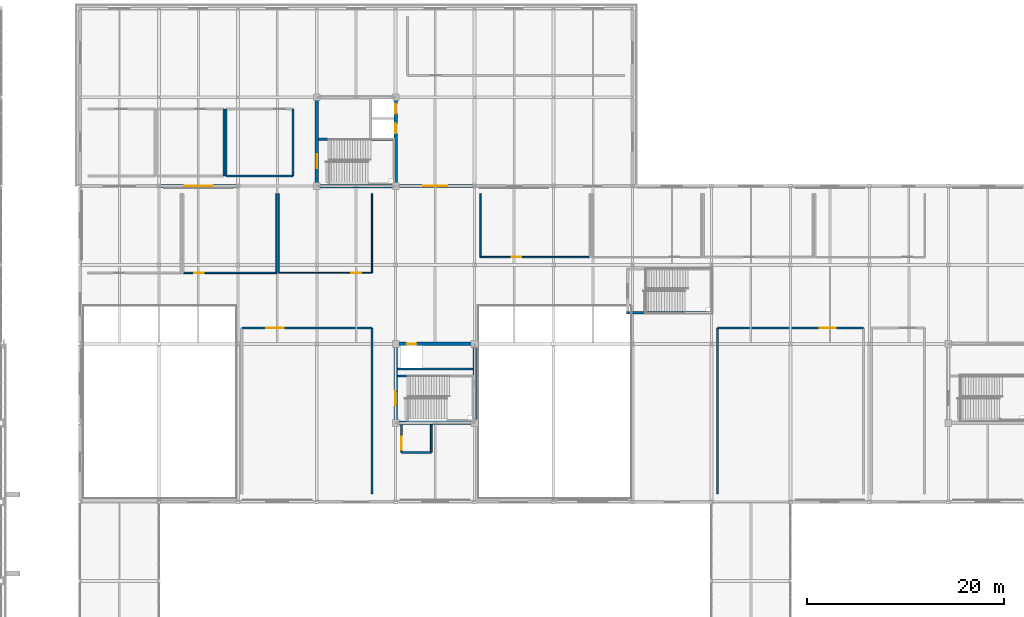
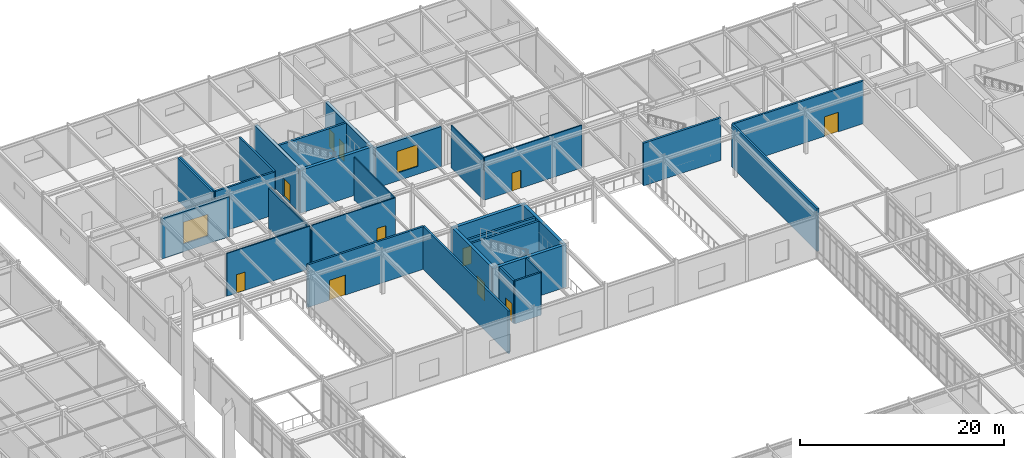
# One storey, part 166 of 184: 31 walls, 11 doors, 2 windows, 13 openings.
"""IFC4 building model written with IfcOpenShell, lengths in metres."""

from ifc_helpers import new_model, si_unit, direction, frame, frame_2d, origin, place, context, subcontext, project, spatial, rectangle, extrude, material, layer, layer_set, type_object, element, fill, save


model = new_model("IFC4")

# Units and contexts
model_context = context("Model", 3, precision=1e-05, world=origin(), true_north=direction((0.0, 1.0)))
body_context = subcontext(model_context, "Body", "Model", "MODEL_VIEW")
ifc_project = project(units=[si_unit("LENGTHUNIT", "METRE"), si_unit("AREAUNIT", "SQUARE_METRE"), si_unit("VOLUMEUNIT", "CUBIC_METRE"), si_unit("PLANEANGLEUNIT", "RADIAN"), si_unit("MASSUNIT", "GRAM", prefix="KILO")], contexts=[model_context])

# Site, building, storey
site_placement = place(None, origin())
site = spatial("IfcSite", under=ifc_project, at=site_placement, CompositionType="ELEMENT")
building_placement = place(site_placement, origin())
building = spatial("IfcBuilding", under=site, at=building_placement, Name="Zhaolan Boulevard Law Courts", CompositionType="ELEMENT")
storey_placement = place(building_placement, frame((0.0, 0.0, 5.39990234375)))
storey = spatial("IfcBuildingStorey", under=building, at=storey_placement, Name="L01", CompositionType="ELEMENT", Elevation=5.39990234375)

# Wall
ifc_material_1 = material(Name="Concrete C50", Category="concrete")
ifc_layer_1 = layer(ifc_material_1, 0.35009765625)
ifc_layer_set_1 = layer_set([ifc_layer_1])
wall_type_1 = type_object("IfcWallType", Name="CORE SHEAR WALL 350", PredefinedType="SHEAR", material=ifc_layer_set_1)
wall_1_placement = place(storey_placement, frame((83.824951171875, 70.0, 0.0), z_axis=(0.0, 0.0, 1.0), x_axis=(1.0, 0.0, 0.0)))
element("IfcWall", 1, at=wall_1_placement, inside=storey, type_object=wall_type_1, Name="Core Shear Wall CW-T1-L01S", PredefinedType="SHEAR", context=body_context, shape_type="SweptSolid", body=[
    extrude(rectangle(XDim=8.35009765625, YDim=0.35009765625, at=frame_2d((4.175048828125, 0.0))), origin(), (0.0, 0.0, 1.0), 5.1201171875),
])

# Wall, opening, door
wall_2_placement = place(storey_placement, frame((92.175048828125, 78.0, 0.0), z_axis=(0.0, 0.0, 1.0), x_axis=(-1.0, 0.0, 0.0)))
wall_2 = element("IfcWall", 2, at=wall_2_placement, inside=storey, type_object=wall_type_1, Name="Core Shear Wall CW-T1-L01N", PredefinedType="SHEAR", context=body_context, shape_type="SweptSolid", body=[
    extrude(rectangle(XDim=8.35009765625, YDim=0.35009765625, at=frame_2d((4.175048828125, 0.0))), origin(), (0.0, 0.0, 1.0), 5.1201171875),
])
opening_1_placement = place(wall_2_placement, frame((6.074951171875, 0.0, 0.0)))
opening_1 = element("IfcOpeningElement", 3, at=opening_1_placement, cuts=wall_2, Name="Opening LD-PL-03-L01", PredefinedType="OPENING", context=body_context, shape_type="SweptSolid", body=[
    extrude(rectangle(XDim=1.0, YDim=2.14990234375, at=frame_2d((0.5, 1.074951171875))), frame((0.0, 0.18505859375, 0.0), z_axis=(0.0, -1.0, 0.0), x_axis=(1.0, 0.0, 0.0)), (0.0, 0.0, 1.0), 0.3701171875),
])
ifc_material_2 = material(Name="Stainless steel sliding landing door", Category="steel")
door_type_1 = type_object("IfcDoorType", Name="LIFT LANDING 1000X2150", OperationType="DOUBLE_DOOR_SLIDING", PredefinedType="DOOR", material=ifc_material_2)
door_1_placement = place(opening_1_placement, origin())
door_1 = element("IfcDoor", 4, at=door_1_placement, inside=storey, type_object=door_type_1, Name="Lift Landing Sliding Door LD-PL-03-L01", OperationType="DOUBLE_DOOR_SLIDING", OverallHeight=2.14990234375, OverallWidth=1.0, PredefinedType="DOOR", context=body_context, shape_type="SweptSolid", body=[
    extrude(rectangle(XDim=1.0, YDim=2.14990234375, at=frame_2d((0.5, 1.074951171875))), frame((0.0, 0.02490234375, 0.0), z_axis=(0.0, -1.0, 0.0), x_axis=(1.0, 0.0, 0.0)), (0.0, 0.0, 1.0), 0.050048828125),
])
fill(opening_1, door_1)

wall_3_placement = place(storey_placement, frame((84.0, 70.175048828125, 0.0), z_axis=(0.0, 0.0, 1.0), x_axis=(0.0, 1.0, 0.0)))
wall_3 = element("IfcWall", 5, at=wall_3_placement, inside=storey, type_object=wall_type_1, Name="Core Shear Wall CW-T1-L01W", PredefinedType="SHEAR", context=body_context, shape_type="SweptSolid", body=[
    extrude(rectangle(XDim=7.64990234375, YDim=0.35009765625, at=frame_2d((3.824951171875, 0.0))), origin(), (0.0, 0.0, 1.0), 5.1201171875),
])
opening_2_placement = place(wall_3_placement, frame((1.625, 0.0, 0.0)))
opening_2 = element("IfcOpeningElement", 6, at=opening_2_placement, cuts=wall_3, Name="Opening SD-L01-31", PredefinedType="OPENING", context=body_context, shape_type="SweptSolid", body=[
    extrude(rectangle(XDim=1.39990234375, YDim=2.199951171875, at=frame_2d((0.699951171875, 1.10009765625))), frame((0.0, 0.18505859375, 0.0), z_axis=(0.0, -1.0, 0.0), x_axis=(1.0, 0.0, 0.0)), (0.0, 0.0, 1.0), 0.3701171875),
])
ifc_material_3 = material(Name="Fire-rated steel acoustic door", Category="steel")
door_type_2 = type_object("IfcDoorType", Name="STAIR FIRE 1400X2200 L", OperationType="SINGLE_SWING_LEFT", PredefinedType="DOOR", material=ifc_material_3)
door_2_placement = place(opening_2_placement, origin())
door_2 = element("IfcDoor", 7, at=door_2_placement, inside=storey, type_object=door_type_2, Name="Smoke-Proof Stairwell Fire Door SD-L01-31", OperationType="SINGLE_SWING_LEFT", OverallHeight=2.199951171875, OverallWidth=1.39990234375, PredefinedType="DOOR", context=body_context, shape_type="SweptSolid", body=[
    extrude(rectangle(XDim=1.39990234375, YDim=2.199951171875, at=frame_2d((0.699951171875, 1.10009765625))), frame((0.0, 0.02490234375, 0.0), z_axis=(0.0, -1.0, 0.0), x_axis=(1.0, 0.0, 0.0)), (0.0, 0.0, 1.0), 0.050048828125),
])
fill(opening_2, door_2)

# Walls
wall_4_placement = place(storey_placement, frame((92.0, 70.175048828125, 0.0), z_axis=(0.0, 0.0, 1.0), x_axis=(0.0, 1.0, 0.0)))
element("IfcWall", 8, at=wall_4_placement, inside=storey, type_object=wall_type_1, Name="Core Shear Wall CW-T1-L01E", PredefinedType="SHEAR", context=body_context, shape_type="SweptSolid", body=[
    extrude(rectangle(XDim=7.64990234375, YDim=0.35009765625, at=frame_2d((3.824951171875, 0.0))), origin(), (0.0, 0.0, 1.0), 5.1201171875),
])
wall_5_placement = place(storey_placement, frame((75.824951171875, 94.0, 0.0), z_axis=(0.0, 0.0, 1.0), x_axis=(1.0, 0.0, 0.0)))
element("IfcWall", 9, at=wall_5_placement, inside=storey, type_object=wall_type_1, Name="Core Shear Wall CW-C1-L01S", PredefinedType="SHEAR", context=body_context, shape_type="SweptSolid", body=[
    extrude(rectangle(XDim=8.35009765625, YDim=0.35009765625, at=frame_2d((4.175048828125, 0.0))), origin(), (0.0, 0.0, 1.0), 5.1201171875),
])

# Wall, opening, door
wall_6_placement = place(storey_placement, frame((76.0, 94.175048828125, 0.0), z_axis=(0.0, 0.0, 1.0), x_axis=(0.0, 1.0, 0.0)))
wall_6 = element("IfcWall", 10, at=wall_6_placement, inside=storey, type_object=wall_type_1, Name="Core Shear Wall CW-C1-L01W", PredefinedType="SHEAR", context=body_context, shape_type="SweptSolid", body=[
    extrude(rectangle(XDim=8.64990234375, YDim=0.35009765625, at=frame_2d((4.324951171875, 0.0))), origin(), (0.0, 0.0, 1.0), 5.1201171875),
])
opening_3_placement = place(wall_6_placement, frame((1.625, 0.0, 0.0)))
opening_3 = element("IfcOpeningElement", 11, at=opening_3_placement, cuts=wall_6, Name="Opening SD-L01-45", PredefinedType="OPENING", context=body_context, shape_type="SweptSolid", body=[
    extrude(rectangle(XDim=1.39990234375, YDim=2.199951171875, at=frame_2d((0.699951171875, 1.10009765625))), frame((0.0, 0.18505859375, 0.0), z_axis=(0.0, -1.0, 0.0), x_axis=(1.0, 0.0, 0.0)), (0.0, 0.0, 1.0), 0.3701171875),
])
door_3_placement = place(opening_3_placement, origin())
door_3 = element("IfcDoor", 12, at=door_3_placement, inside=storey, type_object=door_type_2, Name="Smoke-Proof Stairwell Fire Door SD-L01-45", OperationType="SINGLE_SWING_LEFT", OverallHeight=2.199951171875, OverallWidth=1.39990234375, PredefinedType="DOOR", context=body_context, shape_type="SweptSolid", body=[
    extrude(rectangle(XDim=1.39990234375, YDim=2.199951171875, at=frame_2d((0.699951171875, 1.10009765625))), frame((0.0, 0.02490234375, 0.0), z_axis=(0.0, -1.0, 0.0), x_axis=(1.0, 0.0, 0.0)), (0.0, 0.0, 1.0), 0.050048828125),
])
fill(opening_3, door_3)

# Wall, openings, doors
wall_7_placement = place(storey_placement, frame((84.0, 94.175048828125, 0.0), z_axis=(0.0, 0.0, 1.0), x_axis=(0.0, 1.0, 0.0)))
wall_7 = element("IfcWall", 13, at=wall_7_placement, inside=storey, type_object=wall_type_1, Name="Core Shear Wall CW-C1-L01E", PredefinedType="SHEAR", context=body_context, shape_type="SweptSolid", body=[
    extrude(rectangle(XDim=8.64990234375, YDim=0.35009765625, at=frame_2d((4.324951171875, 0.0))), origin(), (0.0, 0.0, 1.0), 5.1201171875),
])
opening_4_placement = place(wall_7_placement, frame((5.175048828125, 0.0, 0.0)))
opening_4 = element("IfcOpeningElement", 14, at=opening_4_placement, cuts=wall_7, Name="Opening LD-CL-01-L01", PredefinedType="OPENING", context=body_context, shape_type="SweptSolid", body=[
    extrude(rectangle(XDim=1.0, YDim=2.14990234375, at=frame_2d((0.5, 1.074951171875))), frame((0.0, 0.18505859375, 0.0), z_axis=(0.0, -1.0, 0.0), x_axis=(1.0, 0.0, 0.0)), (0.0, 0.0, 1.0), 0.3701171875),
])
opening_5_placement = place(wall_7_placement, frame((7.175048828125, 0.0, 0.0)))
opening_5 = element("IfcOpeningElement", 15, at=opening_5_placement, cuts=wall_7, Name="Opening LD-CL-02-L01", PredefinedType="OPENING", context=body_context, shape_type="SweptSolid", body=[
    extrude(rectangle(XDim=1.0, YDim=2.14990234375, at=frame_2d((0.5, 1.074951171875))), frame((0.0, 0.18505859375, 0.0), z_axis=(0.0, -1.0, 0.0), x_axis=(1.0, 0.0, 0.0)), (0.0, 0.0, 1.0), 0.3701171875),
])
door_4_placement = place(opening_4_placement, origin())
door_4 = element("IfcDoor", 16, at=door_4_placement, inside=storey, type_object=door_type_1, Name="Lift Landing Sliding Door LD-CL-01-L01", OperationType="DOUBLE_DOOR_SLIDING", OverallHeight=2.14990234375, OverallWidth=1.0, PredefinedType="DOOR", context=body_context, shape_type="SweptSolid", body=[
    extrude(rectangle(XDim=1.0, YDim=2.14990234375, at=frame_2d((0.5, 1.074951171875))), frame((0.0, 0.02490234375, 0.0), z_axis=(0.0, -1.0, 0.0), x_axis=(1.0, 0.0, 0.0)), (0.0, 0.0, 1.0), 0.050048828125),
])
fill(opening_4, door_4)
door_5_placement = place(opening_5_placement, origin())
door_5 = element("IfcDoor", 17, at=door_5_placement, inside=storey, type_object=door_type_1, Name="Lift Landing Sliding Door LD-CL-02-L01", OperationType="DOUBLE_DOOR_SLIDING", OverallHeight=2.14990234375, OverallWidth=1.0, PredefinedType="DOOR", context=body_context, shape_type="SweptSolid", body=[
    extrude(rectangle(XDim=1.0, YDim=2.14990234375, at=frame_2d((0.5, 1.074951171875))), frame((0.0, 0.02490234375, 0.0), z_axis=(0.0, -1.0, 0.0), x_axis=(1.0, 0.0, 0.0)), (0.0, 0.0, 1.0), 0.050048828125),
])
fill(opening_5, door_5)

# Wall, opening, window
ifc_material_4 = material(Name="Concrete C40", Category="concrete")
ifc_layer_2 = layer(ifc_material_4, 0.300048828125)
ifc_layer_set_2 = layer_set([ifc_layer_2])
wall_type_2 = type_object("IfcWallType", Name="EXT WALL CONCRETE300", PredefinedType="SOLIDWALL", material=ifc_layer_set_2)
wall_8_placement = place(storey_placement, frame((67.8291015625, 94.0, 0.0), z_axis=(0.0, 0.0, 1.0), x_axis=(-1.0, 0.0, 0.0)))
wall_8 = element("IfcWall", 18, at=wall_8_placement, inside=storey, type_object=wall_type_2, Name="Exterior Wall EW-L01-218", PredefinedType="SOLIDWALL", context=body_context, shape_type="SweptSolid", body=[
    extrude(rectangle(XDim=7.658203125, YDim=0.300048828125, at=frame_2d((3.8291015625, 0.0))), origin(), (0.0, 0.0, 1.0), 4.802978515625),
])
opening_6_placement = place(wall_8_placement, frame((2.428955078125, 0.0, 0.949951171875)))
opening_6 = element("IfcOpeningElement", 19, at=opening_6_placement, cuts=wall_8, Name="Opening WIN-L01-075", PredefinedType="OPENING", context=body_context, shape_type="SweptSolid", body=[
    extrude(rectangle(XDim=2.800048828125, YDim=2.60009765625, at=frame_2d((1.39990234375, 1.300048828125))), frame((0.0, 0.159912109375, 0.0), z_axis=(0.0, -1.0, 0.0), x_axis=(1.0, 0.0, 0.0)), (0.0, 0.0, 1.0), 0.320068359375),
])
ifc_material_5 = material(Name="Thermally broken aluminium and low-E glazing", Category="aluminium")
window_type_1 = type_object("IfcWindowType", Name="WINDOW 2800X2600", PartitioningType="DOUBLE_PANEL_VERTICAL", PredefinedType="WINDOW", material=ifc_material_5)
window_1_placement = place(opening_6_placement, origin())
window_1 = element("IfcWindow", 20, at=window_1_placement, inside=storey, type_object=window_type_1, Name="Exterior Window WIN-L01-075", OverallHeight=2.60009765625, OverallWidth=2.800048828125, PartitioningType="SINGLE_PANEL", PredefinedType="WINDOW", context=body_context, shape_type="SweptSolid", body=[
    extrude(rectangle(XDim=2.800048828125, YDim=2.60009765625, at=frame_2d((1.39990234375, 1.300048828125))), frame((0.0, 0.030029296875, 0.0), z_axis=(0.0, -1.0, 0.0), x_axis=(1.0, 0.0, 0.0)), (0.0, 0.0, 1.0), 0.06005859375),
])
fill(opening_6, window_1)

wall_9_placement = place(storey_placement, frame((91.8291015625, 94.0, 0.0), z_axis=(0.0, 0.0, 1.0), x_axis=(-1.0, 0.0, 0.0)))
wall_9 = element("IfcWall", 21, at=wall_9_placement, inside=storey, type_object=wall_type_2, Name="Exterior Wall EW-L01-219", PredefinedType="SOLIDWALL", context=body_context, shape_type="SweptSolid", body=[
    extrude(rectangle(XDim=7.483154296875, YDim=0.300048828125, at=frame_2d((3.74169921875, 0.0))), origin(), (0.0, 0.0, 1.0), 4.802978515625),
])
opening_7_placement = place(wall_9_placement, frame((2.62890625, 0.0, 0.949951171875)))
opening_7 = element("IfcOpeningElement", 22, at=opening_7_placement, cuts=wall_9, Name="Opening WIN-L01-076", PredefinedType="OPENING", context=body_context, shape_type="SweptSolid", body=[
    extrude(rectangle(XDim=2.39990234375, YDim=2.60009765625, at=frame_2d((1.199951171875, 1.300048828125))), frame((0.0, 0.159912109375, 0.0), z_axis=(0.0, -1.0, 0.0), x_axis=(1.0, 0.0, 0.0)), (0.0, 0.0, 1.0), 0.320068359375),
])
ifc_material_6 = material(Name="Thermally broken aluminium and low-E glazing", Category="aluminium")
window_type_2 = type_object("IfcWindowType", Name="WINDOW 2400X2600", PartitioningType="DOUBLE_PANEL_VERTICAL", PredefinedType="WINDOW", material=ifc_material_6)
window_2_placement = place(opening_7_placement, origin())
window_2 = element("IfcWindow", 23, at=window_2_placement, inside=storey, type_object=window_type_2, Name="Exterior Window WIN-L01-076", OverallHeight=2.60009765625, OverallWidth=2.39990234375, PartitioningType="SINGLE_PANEL", PredefinedType="WINDOW", context=body_context, shape_type="SweptSolid", body=[
    extrude(rectangle(XDim=2.39990234375, YDim=2.60009765625, at=frame_2d((1.199951171875, 1.300048828125))), frame((0.0, 0.030029296875, 0.0), z_axis=(0.0, -1.0, 0.0), x_axis=(1.0, 0.0, 0.0)), (0.0, 0.0, 1.0), 0.06005859375),
])
fill(opening_7, window_2)

# Walls
ifc_material_7 = material(Name="Concrete C50", Category="concrete")
ifc_layer_3 = layer(ifc_material_7, 0.239990234375)
ifc_layer_set_3 = layer_set([ifc_layer_3])
wall_type_3 = type_object("IfcWallType", Name="LIFT SHAFT WALL 240", PredefinedType="SHEAR", material=ifc_layer_set_3)
wall_10_placement = place(storey_placement, frame((84.175048828125, 75.455078125, 0.0), z_axis=(0.0, 0.0, 1.0), x_axis=(1.0, 0.0, 0.0)))
element("IfcWall", 24, at=wall_10_placement, inside=storey, type_object=wall_type_3, Name="Lift Shaft Enclosure Wall T1 (L01)", PredefinedType="SHEAR", context=body_context, shape_type="SweptSolid", body=[
    extrude(rectangle(XDim=7.64990234375, YDim=0.239990234375, at=frame_2d((3.824951171875, 0.0))), origin(), (0.0, 0.0, 1.0), 5.1201171875),
])
ifc_material_8 = material(Name="Acoustic gypsum and mineral-wool stud")
ifc_layer_4 = layer(ifc_material_8, 0.18994140625)
ifc_layer_set_4 = layer_set([ifc_layer_4])
wall_type_4 = type_object("IfcWallType", Name="PART WALL ACOUST190", PredefinedType="PARTITIONING", material=ifc_layer_set_4)
wall_11_placement = place(storey_placement, frame((84.60009765625, 67.0, 0.0), z_axis=(0.0, 0.0, 1.0), x_axis=(1.0, 0.0, 0.0)))
element("IfcWall", 25, at=wall_11_placement, inside=storey, type_object=wall_type_4, Name="Interior Partition PW-L01-082", PredefinedType="PARTITIONING", context=body_context, shape_type="SweptSolid", body=[
    extrude(rectangle(XDim=3.0, YDim=0.18994140625, at=frame_2d((1.5, 0.0))), origin(), (0.0, 0.0, 1.0), 5.1201171875),
])

# Wall, opening, door
wall_12_placement = place(storey_placement, frame((84.60009765625, 69.800048828125, 0.0), z_axis=(0.0, 0.0, 1.0), x_axis=(0.0, -1.0, 0.0)))
wall_12 = element("IfcWall", 26, at=wall_12_placement, inside=storey, type_object=wall_type_4, Name="Interior Partition PW-L01-083", PredefinedType="PARTITIONING", context=body_context, shape_type="SweptSolid", body=[
    extrude(rectangle(XDim=2.800048828125, YDim=0.18994140625, at=frame_2d((1.39990234375, 0.0))), origin(), (0.0, 0.0, 1.0), 5.1201171875),
])
opening_8_placement = place(wall_12_placement, frame((1.199951171875, 0.0, 0.0)))
opening_8 = element("IfcOpeningElement", 27, at=opening_8_placement, cuts=wall_12, Name="Opening FD-L01-028", PredefinedType="OPENING", context=body_context, shape_type="SweptSolid", body=[
    extrude(rectangle(XDim=1.300048828125, YDim=2.199951171875, at=frame_2d((0.64990234375, 1.10009765625))), frame((0.0, 0.10498046875, 0.0), z_axis=(0.0, -1.0, 0.0), x_axis=(1.0, 0.0, 0.0)), (0.0, 0.0, 1.0), 0.2099609375),
])
ifc_material_9 = material(Name="Fire-rated steel acoustic door", Category="steel")
door_type_3 = type_object("IfcDoorType", Name="LOBBY FIRE 1300X2200 R", OperationType="SINGLE_SWING_RIGHT", PredefinedType="DOOR", material=ifc_material_9)
door_6_placement = place(opening_8_placement, origin())
door_6 = element("IfcDoor", 28, at=door_6_placement, inside=storey, type_object=door_type_3, Name="Door FD-L01-028 (Lobby Firefighting Lift L01-T1)", OperationType="SINGLE_SWING_RIGHT", OverallHeight=2.199951171875, OverallWidth=1.300048828125, PredefinedType="DOOR", context=body_context, shape_type="SweptSolid", body=[
    extrude(rectangle(XDim=1.300048828125, YDim=2.199951171875, at=frame_2d((0.64990234375, 1.10009765625))), frame((0.0, 0.02490234375, 0.0), z_axis=(0.0, -1.0, 0.0), x_axis=(1.0, 0.0, 0.0)), (0.0, 0.0, 1.0), 0.050048828125),
])
fill(opening_8, door_6)

# Wall
wall_13_placement = place(storey_placement, frame((87.60009765625, 67.0, 0.0), z_axis=(0.0, 0.0, 1.0), x_axis=(0.0, 1.0, 0.0)))
element("IfcWall", 29, at=wall_13_placement, inside=storey, type_object=wall_type_4, Name="Interior Partition PW-L01-084", PredefinedType="PARTITIONING", context=body_context, shape_type="SweptSolid", body=[
    extrude(rectangle(XDim=2.800048828125, YDim=0.18994140625, at=frame_2d((1.39990234375, 0.0))), origin(), (0.0, 0.0, 1.0), 5.1201171875),
])

# Wall, opening, door
ifc_material_10 = material(Name="Concrete C40", Category="concrete")
ifc_layer_5 = layer(ifc_material_10, 0.219970703125)
ifc_layer_set_5 = layer_set([ifc_layer_5])
wall_type_5 = type_object("IfcWallType", Name="PART WALL COURT220", PredefinedType="PARTITIONING", material=ifc_layer_set_5)
wall_14_placement = place(storey_placement, frame((81.60009765625, 79.60009765625, 0.0), z_axis=(0.0, 0.0, 1.0), x_axis=(-1.0, 0.0, 0.0)))
wall_14 = element("IfcWall", 30, at=wall_14_placement, inside=storey, type_object=wall_type_5, Name="Interior Partition PW-L01-367", PredefinedType="PARTITIONING", context=body_context, shape_type="SweptSolid", body=[
    extrude(rectangle(XDim=13.2001953125, YDim=0.219970703125, at=frame_2d((6.60009765625, 0.0))), origin(), (0.0, 0.0, 1.0), 5.1201171875),
])
opening_9_placement = place(wall_14_placement, frame((8.93994140625, 0.0, 0.0)))
opening_9 = element("IfcOpeningElement", 31, at=opening_9_placement, cuts=wall_14, Name="Opening ID-L01-114", PredefinedType="OPENING", context=body_context, shape_type="SweptSolid", body=[
    extrude(rectangle(XDim=1.800048828125, YDim=2.39990234375, at=frame_2d((0.89990234375, 1.199951171875))), frame((0.0, 0.119873046875, 0.0), z_axis=(0.0, -1.0, 0.0), x_axis=(1.0, 0.0, 0.0)), (0.0, 0.0, 1.0), 0.239990234375),
])
ifc_material_11 = material(Name="Solid-core acoustic oak veneer door")
door_type_4 = type_object("IfcDoorType", Name="COURT DOUBLE 1800X2400", OperationType="DOUBLE_DOOR_SINGLE_SWING", PredefinedType="DOOR", material=ifc_material_11)
door_7_placement = place(opening_9_placement, origin())
door_7 = element("IfcDoor", 32, at=door_7_placement, inside=storey, type_object=door_type_4, Name="Door ID-L01-114 (Civil Trial Courtroom 07)", OperationType="DOUBLE_DOOR_SINGLE_SWING", OverallHeight=2.39990234375, OverallWidth=1.800048828125, PredefinedType="DOOR", context=body_context, shape_type="SweptSolid", body=[
    extrude(rectangle(XDim=1.800048828125, YDim=2.39990234375, at=frame_2d((0.89990234375, 1.199951171875))), frame((0.0, 0.02490234375, 0.0), z_axis=(0.0, -1.0, 0.0), x_axis=(1.0, 0.0, 0.0)), (0.0, 0.0, 1.0), 0.050048828125),
])
fill(opening_9, door_7)

# Wall
wall_15_placement = place(storey_placement, frame((81.60009765625, 62.800048828125, 0.0), z_axis=(0.0, 0.0, 1.0), x_axis=(0.0, 1.0, 0.0)))
element("IfcWall", 33, at=wall_15_placement, inside=storey, type_object=wall_type_5, Name="Interior Partition PW-L01-369", PredefinedType="PARTITIONING", context=body_context, shape_type="SweptSolid", body=[
    extrude(rectangle(XDim=16.800048828125, YDim=0.219970703125, at=frame_2d((8.39990234375, 0.0))), origin(), (0.0, 0.0, 1.0), 5.1201171875),
])

# Wall, opening, door
wall_16_placement = place(storey_placement, frame((131.39990234375, 79.60009765625, 0.0), z_axis=(0.0, 0.0, 1.0), x_axis=(-1.0, 0.0, 0.0)))
wall_16 = element("IfcWall", 34, at=wall_16_placement, inside=storey, type_object=wall_type_5, Name="Interior Partition PW-L01-370", PredefinedType="PARTITIONING", context=body_context, shape_type="SweptSolid", body=[
    extrude(rectangle(XDim=14.7998046875, YDim=0.219970703125, at=frame_2d((7.39990234375, 0.0))), origin(), (0.0, 0.0, 1.0), 5.1201171875),
])
opening_10_placement = place(wall_16_placement, frame((2.820068359375, 0.0, 0.0)))
opening_10 = element("IfcOpeningElement", 35, at=opening_10_placement, cuts=wall_16, Name="Opening ID-L01-115", PredefinedType="OPENING", context=body_context, shape_type="SweptSolid", body=[
    extrude(rectangle(XDim=1.60009765625, YDim=2.35009765625, at=frame_2d((0.800048828125, 1.175048828125))), frame((0.0, 0.119873046875, 0.0), z_axis=(0.0, -1.0, 0.0), x_axis=(1.0, 0.0, 0.0)), (0.0, 0.0, 1.0), 0.239990234375),
])
ifc_material_12 = material(Name="Solid-core acoustic oak veneer door")
door_type_5 = type_object("IfcDoorType", Name="COURT DOUBLE 1600X2350", OperationType="DOUBLE_DOOR_SINGLE_SWING", PredefinedType="DOOR", material=ifc_material_12)
door_8_placement = place(opening_10_placement, origin())
door_8 = element("IfcDoor", 36, at=door_8_placement, inside=storey, type_object=door_type_5, Name="Door ID-L01-115 (Commercial Trial Courtroom 08)", OperationType="DOUBLE_DOOR_SINGLE_SWING", OverallHeight=2.35009765625, OverallWidth=1.60009765625, PredefinedType="DOOR", context=body_context, shape_type="SweptSolid", body=[
    extrude(rectangle(XDim=1.60009765625, YDim=2.35009765625, at=frame_2d((0.800048828125, 1.175048828125))), frame((0.0, 0.02490234375, 0.0), z_axis=(0.0, -1.0, 0.0), x_axis=(1.0, 0.0, 0.0)), (0.0, 0.0, 1.0), 0.050048828125),
])
fill(opening_10, door_8)

# Walls
wall_17_placement = place(storey_placement, frame((116.60009765625, 79.60009765625, 0.0), z_axis=(0.0, 0.0, 1.0), x_axis=(0.0, -1.0, 0.0)))
element("IfcWall", 37, at=wall_17_placement, inside=storey, type_object=wall_type_5, Name="Interior Partition PW-L01-371", PredefinedType="PARTITIONING", context=body_context, shape_type="SweptSolid", body=[
    extrude(rectangle(XDim=16.800048828125, YDim=0.219970703125, at=frame_2d((8.39990234375, 0.0))), origin(), (0.0, 0.0, 1.0), 5.1201171875),
])
ifc_material_13 = material(Name="Concrete C40", Category="concrete")
ifc_layer_6 = layer(ifc_material_13, 0.2099609375)
ifc_layer_set_6 = layer_set([ifc_layer_6])
wall_type_6 = type_object("IfcWallType", Name="PART WALL CUSTODY210", PredefinedType="PARTITIONING", material=ifc_layer_set_6)
wall_18_placement = place(storey_placement, frame((66.593017578125, 95.0, 0.0), z_axis=(0.0, 0.0, 1.0), x_axis=(0.0, 1.0, 0.0)))
element("IfcWall", 38, at=wall_18_placement, inside=storey, type_object=wall_type_6, Name="Interior Partition PW-L01-429", PredefinedType="PARTITIONING", context=body_context, shape_type="SweptSolid", body=[
    extrude(rectangle(XDim=6.800048828125, YDim=0.2099609375, at=frame_2d((3.39990234375, 0.0))), origin(), (0.0, 0.0, 1.0), 5.1201171875),
])
wall_19_placement = place(storey_placement, frame((66.81298828125, 95.0, 0.0), z_axis=(0.0, 0.0, 1.0), x_axis=(1.0, 0.0, 0.0)))
element("IfcWall", 39, at=wall_19_placement, inside=storey, type_object=wall_type_6, Name="Interior Partition PW-L01-430", PredefinedType="PARTITIONING", context=body_context, shape_type="SweptSolid", body=[
    extrude(rectangle(XDim=6.787109375, YDim=0.2099609375, at=frame_2d((3.3935546875, 0.0))), origin(), (0.0, 0.0, 1.0), 5.1201171875),
])
for number, where, z_axis, x_axis, name in (
    (40, (66.81298828125, 101.800048828125, 0.0), (0.0, 0.0, 1.0), (0.0, -1.0, 0.0), "Interior Partition PW-L01-432"),
    (41, (73.60009765625, 95.0, 0.0), (0.0, 0.0, 1.0), (0.0, 1.0, 0.0), "Interior Partition PW-L01-433"),
):
    element("IfcWall", number, at=place(storey_placement, frame(where, z_axis=z_axis, x_axis=x_axis)), inside=storey, type_object=wall_type_6, Name=name, PredefinedType="PARTITIONING", context=body_context, shape_type="SweptSolid", body=[
        extrude(rectangle(XDim=6.800048828125, YDim=0.2099609375, at=frame_2d((3.39990234375, 0.0))), origin(), (0.0, 0.0, 1.0), 5.1201171875),
    ])

# Wall, opening, door
ifc_material_14 = material(Name="Gypsum board stud partition")
ifc_layer_7 = layer(ifc_material_14, 0.1201171875)
ifc_layer_set_7 = layer_set([ifc_layer_7])
wall_type_7 = type_object("IfcWallType", Name="PART WALL LIGHT120", PredefinedType="PARTITIONING", material=ifc_layer_set_7)
wall_20_placement = place(storey_placement, frame((72.14697265625, 85.199951171875, 0.0), z_axis=(0.0, 0.0, 1.0), x_axis=(1.0, 0.0, 0.0)))
wall_20 = element("IfcWall", 42, at=wall_20_placement, inside=storey, type_object=wall_type_7, Name="Interior Partition PW-L01-378", PredefinedType="PARTITIONING", context=body_context, shape_type="SweptSolid", body=[
    extrude(rectangle(XDim=9.453125, YDim=0.1201171875, at=frame_2d((4.7265625, 0.0))), origin(), (0.0, 0.0, 1.0), 5.1201171875),
])
opening_11_placement = place(wall_20_placement, frame((7.367919921875, 0.0, 0.0)))
opening_11 = element("IfcOpeningElement", 43, at=opening_11_placement, cuts=wall_20, Name="Opening JD-L01-118", PredefinedType="OPENING", context=body_context, shape_type="SweptSolid", body=[
    extrude(rectangle(XDim=1.0, YDim=2.14990234375, at=frame_2d((0.5, 1.074951171875))), frame((0.0, 0.070068359375, 0.0), z_axis=(0.0, -1.0, 0.0), x_axis=(1.0, 0.0, 0.0)), (0.0, 0.0, 1.0), 0.14013671875),
])
ifc_material_15 = material(Name="Solid-core acoustic oak veneer door")
door_type_6 = type_object("IfcDoorType", Name="CHAMBER DOOR 1000X2150 L", OperationType="SINGLE_SWING_LEFT", PredefinedType="DOOR", material=ifc_material_15)
door_9_placement = place(opening_11_placement, origin())
door_9 = element("IfcDoor", 44, at=door_9_placement, inside=storey, type_object=door_type_6, Name="Door JD-L01-118 (Judges' Chambers L01-03)", OperationType="SINGLE_SWING_LEFT", OverallHeight=2.14990234375, OverallWidth=1.0, PredefinedType="DOOR", context=body_context, shape_type="SweptSolid", body=[
    extrude(rectangle(XDim=1.0, YDim=2.14990234375, at=frame_2d((0.5, 1.074951171875))), frame((0.0, 0.02490234375, 0.0), z_axis=(0.0, -1.0, 0.0), x_axis=(1.0, 0.0, 0.0)), (0.0, 0.0, 1.0), 0.050048828125),
])
fill(opening_11, door_9)

# Walls
wall_21_placement = place(storey_placement, frame((72.14697265625, 93.199951171875, 0.0), z_axis=(0.0, 0.0, 1.0), x_axis=(0.0, -1.0, 0.0)))
element("IfcWall", 45, at=wall_21_placement, inside=storey, type_object=wall_type_7, Name="Interior Partition PW-L01-379", PredefinedType="PARTITIONING", context=body_context, shape_type="SweptSolid", body=[
    extrude(rectangle(XDim=8.0, YDim=0.1201171875, at=frame_2d((4.0, 0.0))), origin(), (0.0, 0.0, 1.0), 4.80615234375),
])
wall_22_placement = place(storey_placement, frame((81.60009765625, 85.199951171875, 0.0), z_axis=(0.0, 0.0, 1.0), x_axis=(0.0, 1.0, 0.0)))
element("IfcWall", 46, at=wall_22_placement, inside=storey, type_object=wall_type_7, Name="Interior Partition PW-L01-380", PredefinedType="PARTITIONING", context=body_context, shape_type="SweptSolid", body=[
    extrude(rectangle(XDim=8.0, YDim=0.1201171875, at=frame_2d((4.0, 0.0))), origin(), (0.0, 0.0, 1.0), 5.1201171875),
])

# Wall, opening, door
ifc_material_16 = material(Name="Fire-rated gypsum stud partition")
ifc_layer_8 = layer(ifc_material_16, 0.139892578125)
ifc_layer_set_8 = layer_set([ifc_layer_8])
wall_type_8 = type_object("IfcWallType", Name="PART WALL OFFICE140", PredefinedType="PARTITIONING", material=ifc_layer_set_8)
wall_23_placement = place(storey_placement, frame((62.472900390625, 85.199951171875, 0.0), z_axis=(0.0, 0.0, 1.0), x_axis=(1.0, 0.0, 0.0)))
wall_23 = element("IfcWall", 47, at=wall_23_placement, inside=storey, type_object=wall_type_8, Name="Interior Partition PW-L01-375", PredefinedType="PARTITIONING", context=body_context, shape_type="SweptSolid", body=[
    extrude(rectangle(XDim=9.4541015625, YDim=0.139892578125, at=frame_2d((4.72705078125, 0.0))), origin(), (0.0, 0.0, 1.0), 5.1201171875),
])
opening_12_placement = place(wall_23_placement, frame((1.0869140625, 0.0, 0.0)))
opening_12 = element("IfcOpeningElement", 48, at=opening_12_placement, cuts=wall_23, Name="Opening JD-L01-117", PredefinedType="OPENING", context=body_context, shape_type="SweptSolid", body=[
    extrude(rectangle(XDim=0.97998046875, YDim=2.199951171875, at=frame_2d((0.489990234375, 1.10009765625))), frame((0.0, 0.079833984375, 0.0), z_axis=(0.0, -1.0, 0.0), x_axis=(1.0, 0.0, 0.0)), (0.0, 0.0, 1.0), 0.159912109375),
])
ifc_material_17 = material(Name="Solid-core acoustic oak veneer door")
door_type_7 = type_object("IfcDoorType", Name="CHAMBER DOOR 980X2200 R", OperationType="SINGLE_SWING_RIGHT", PredefinedType="DOOR", material=ifc_material_17)
door_10_placement = place(opening_12_placement, origin())
door_10 = element("IfcDoor", 49, at=door_10_placement, inside=storey, type_object=door_type_7, Name="Door JD-L01-117 (Judges' Chambers L01-02)", OperationType="SINGLE_SWING_RIGHT", OverallHeight=2.199951171875, OverallWidth=0.97998046875, PredefinedType="DOOR", context=body_context, shape_type="SweptSolid", body=[
    extrude(rectangle(XDim=0.97998046875, YDim=2.199951171875, at=frame_2d((0.489990234375, 1.10009765625))), frame((0.0, 0.02490234375, 0.0), z_axis=(0.0, -1.0, 0.0), x_axis=(1.0, 0.0, 0.0)), (0.0, 0.0, 1.0), 0.050048828125),
])
fill(opening_12, door_10)

# Wall
wall_24_placement = place(storey_placement, frame((71.927001953125, 85.199951171875, 0.0), z_axis=(0.0, 0.0, 1.0), x_axis=(0.0, 1.0, 0.0)))
element("IfcWall", 50, at=wall_24_placement, inside=storey, type_object=wall_type_8, Name="Interior Partition PW-L01-377", PredefinedType="PARTITIONING", context=body_context, shape_type="SweptSolid", body=[
    extrude(rectangle(XDim=8.0, YDim=0.139892578125, at=frame_2d((4.0, 0.0))), origin(), (0.0, 0.0, 1.0), 4.80615234375),
])

# Wall, opening, door
wall_25_placement = place(storey_placement, frame((92.60009765625, 86.800048828125, 0.0), z_axis=(0.0, 0.0, 1.0), x_axis=(1.0, 0.0, 0.0)))
wall_25 = element("IfcWall", 51, at=wall_25_placement, inside=storey, type_object=wall_type_8, Name="Interior Partition PW-L01-381", PredefinedType="PARTITIONING", context=body_context, shape_type="SweptSolid", body=[
    extrude(rectangle(XDim=11.0849609375, YDim=0.139892578125, at=frame_2d((5.54248046875, 0.0))), origin(), (0.0, 0.0, 1.0), 5.1201171875),
])
opening_13_placement = place(wall_25_placement, frame((3.152099609375, 0.0, 0.0)))
opening_13 = element("IfcOpeningElement", 52, at=opening_13_placement, cuts=wall_25, Name="Opening JD-L01-119", PredefinedType="OPENING", context=body_context, shape_type="SweptSolid", body=[
    extrude(rectangle(XDim=0.97998046875, YDim=2.14990234375, at=frame_2d((0.489990234375, 1.074951171875))), frame((0.0, 0.079833984375, 0.0), z_axis=(0.0, -1.0, 0.0), x_axis=(1.0, 0.0, 0.0)), (0.0, 0.0, 1.0), 0.159912109375),
])
ifc_material_18 = material(Name="Solid-core acoustic oak veneer door")
door_type_8 = type_object("IfcDoorType", Name="CHAMBER DOOR 980X2150 R", OperationType="SINGLE_SWING_RIGHT", PredefinedType="DOOR", material=ifc_material_18)
door_11_placement = place(opening_13_placement, origin())
door_11 = element("IfcDoor", 53, at=door_11_placement, inside=storey, type_object=door_type_8, Name="Door JD-L01-119 (Judges' Chambers L01-01)", OperationType="SINGLE_SWING_RIGHT", OverallHeight=2.14990234375, OverallWidth=0.97998046875, PredefinedType="DOOR", context=body_context, shape_type="SweptSolid", body=[
    extrude(rectangle(XDim=0.97998046875, YDim=2.14990234375, at=frame_2d((0.489990234375, 1.074951171875))), frame((0.0, 0.02490234375, 0.0), z_axis=(0.0, -1.0, 0.0), x_axis=(1.0, 0.0, 0.0)), (0.0, 0.0, 1.0), 0.050048828125),
])
fill(opening_13, door_11)

# Walls
wall_26_placement = place(storey_placement, frame((92.60009765625, 93.199951171875, 0.0), z_axis=(0.0, 0.0, 1.0), x_axis=(0.0, -1.0, 0.0)))
element("IfcWall", 54, at=wall_26_placement, inside=storey, type_object=wall_type_8, Name="Interior Partition PW-L01-382", PredefinedType="PARTITIONING", context=body_context, shape_type="SweptSolid", body=[
    extrude(rectangle(XDim=6.39990234375, YDim=0.139892578125, at=frame_2d((3.199951171875, 0.0))), origin(), (0.0, 0.0, 1.0), 5.1201171875),
])
ifc_material_19 = material(Name="Concrete C50", Category="concrete")
ifc_layer_9 = layer(ifc_material_19, 0.239990234375)
ifc_layer_set_9 = layer_set([ifc_layer_9])
wall_type_9 = type_object("IfcWallType", Name="STAIR WELL WALL 240", PredefinedType="SHEAR", material=ifc_layer_set_9)
for number, where, z_axis, x_axis, name in (
    (55, (84.175048828125, 74.75, 0.0), (0.0, 0.0, 1.0), (1.0, 0.0, 0.0), "Stairwell Divider Shear Wall ST08-L01N"),
    (56, (76.175048828125, 98.75, 0.0), (0.0, 0.0, 1.0), (1.0, 0.0, 0.0), "Stairwell Divider Shear Wall ST11-L01N"),
):
    element("IfcWall", number, at=place(storey_placement, frame(where, z_axis=z_axis, x_axis=x_axis)), inside=storey, type_object=wall_type_9, Name=name, PredefinedType="SHEAR", context=body_context, shape_type="SweptSolid", body=[
        extrude(rectangle(XDim=7.64990234375, YDim=0.239990234375, at=frame_2d((3.824951171875, 0.0))), origin(), (0.0, 0.0, 1.0), 5.1201171875),
    ])
wall_27_placement = place(storey_placement, frame((107.3798828125, 81.14990234375, 0.0), z_axis=(0.0, 0.0, 1.0), x_axis=(1.0, 0.0, 0.0)))
element("IfcWall", 57, at=wall_27_placement, inside=storey, type_object=wall_type_9, Name="Stairwell Shear Wall ST13-L01S", PredefinedType="SHEAR", context=body_context, shape_type="SweptSolid", body=[
    extrude(rectangle(XDim=8.740234375, YDim=0.239990234375, at=frame_2d((4.3701171875, 0.0))), origin(), (0.0, 0.0, 1.0), 5.1201171875),
])

save(model, "model.ifc")
